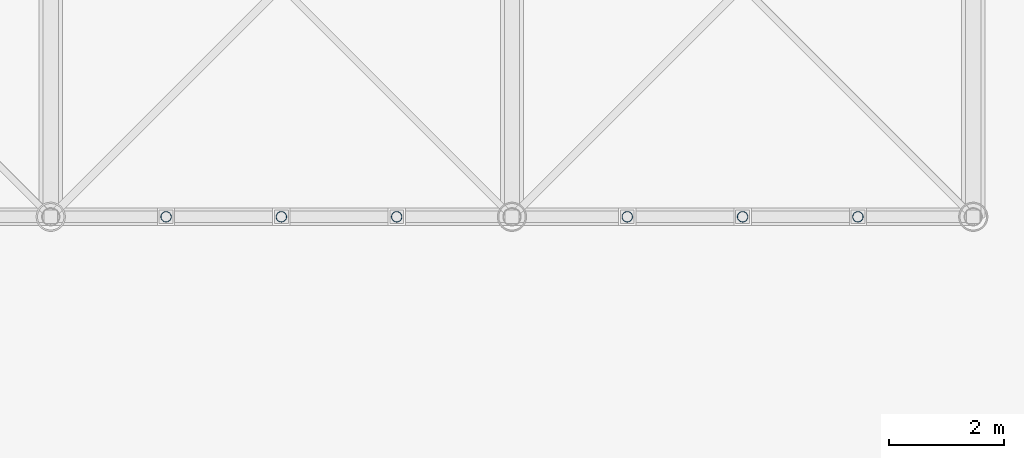
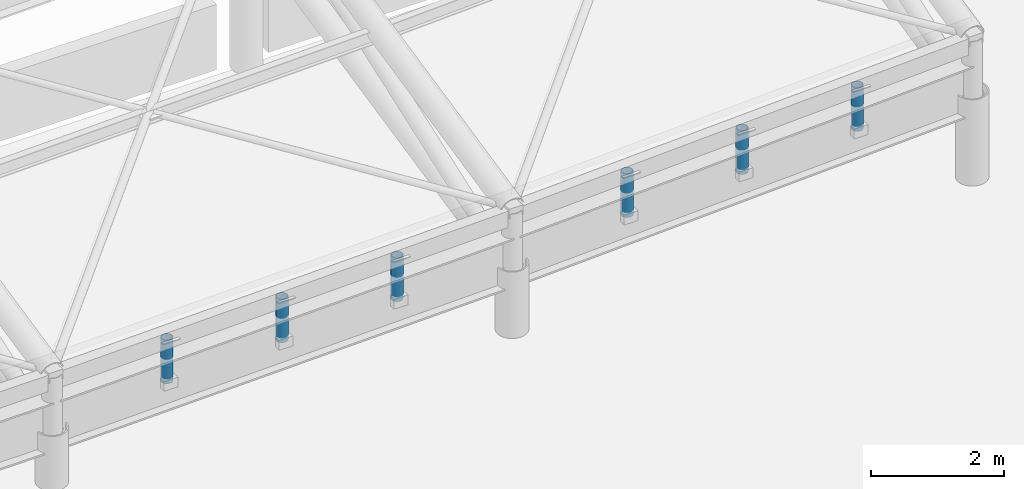
# One storey, part 40 of 78: 6 members.
"""IFC4 building model written with IfcOpenShell, lengths in metres."""

from ifc_helpers import new_model, si_unit, direction, frame, origin, origin_2d, place, context, subcontext, project, spatial, hollow_circle, extrude, material, material_profile, profile_set, type_object, element, save


model = new_model("IFC4")

# Units and contexts
model_context = context("Model", 3, precision=1e-05, world=origin(), true_north=direction((0.0, 1.0)))
body_context = subcontext(model_context, "Body", "Model", "MODEL_VIEW")
ifc_project = project(units=[si_unit("LENGTHUNIT", "METRE"), si_unit("AREAUNIT", "SQUARE_METRE"), si_unit("VOLUMEUNIT", "CUBIC_METRE"), si_unit("PLANEANGLEUNIT", "RADIAN"), si_unit("MASSUNIT", "GRAM", prefix="KILO")], contexts=[model_context])

# Site, building, storey
site_placement = place(None, origin())
site = spatial("IfcSite", under=ifc_project, at=site_placement, CompositionType="ELEMENT")
building_placement = place(site_placement, origin())
building = spatial("IfcBuilding", under=site, at=building_placement, Name="Haebicheon Civic Stadium", CompositionType="ELEMENT")
storey_placement = place(building_placement, frame((0.0, 0.0, 18.60009765625)))
storey = spatial("IfcBuildingStorey", under=building, at=storey_placement, Name="L05", CompositionType="ELEMENT", Elevation=18.60009765625)

# Members
ifc_material = material(Name="White painted steel SM490", Category="steel")
ifc_material_profile = material_profile(ifc_material, hollow_circle(Radius=0.095458984375, WallThickness=0.011962890625, at=origin_2d()), Name="CHS-190.7x12.0")
ifc_profile_set = profile_set([ifc_material_profile], Name="White painted steel SM490")
member_type = type_object("IfcMemberType", Name="HRD-CHS190", PredefinedType="USERDEFINED", material=ifc_profile_set)
for number, where, z_axis, x_axis, name in (
    (1, (114.0, 24.0, 1.15478515625), (0.0, 0.0, 1.0), (1.0, 0.0, 0.0), "CAN-SOUTH white vertical suspension rod 5.1"),
    (2, (116.0, 24.0, 1.2099609375), (0.0, 0.0, 1.0), (1.0, 0.0, 0.0), "CAN-SOUTH white vertical suspension rod 5.2"),
    (3, (118.0, 24.0, 1.264892578125), (0.0, 0.0, 1.0), (1.0, 0.0, 0.0), "CAN-SOUTH white vertical suspension rod 5.3"),
    (4, (122.0, 24.0, 1.411865234375), (0.0, 0.0, 1.0), (1.0, 0.0, 0.0), "CAN-SOUTH white vertical suspension rod 6.1"),
    (5, (124.0, 24.0, 1.5029296875), (0.0, 0.0, 1.0), (1.0, 0.0, 0.0), "CAN-SOUTH white vertical suspension rod 6.2"),
    (6, (126.0, 24.0, 1.594970703125), (0.0, 0.0, 1.0), (1.0, 0.0, 0.0), "CAN-SOUTH white vertical suspension rod 6.3"),
):
    element("IfcMember", number, at=place(storey_placement, frame(where, z_axis=z_axis, x_axis=x_axis)), inside=storey, type_object=member_type, material=ifc_profile_set, Name=name, ObjectType="HANGER ROD", PredefinedType="USERDEFINED", context=body_context, shape_type="SweptSolid", body=[
        extrude(hollow_circle(Radius=0.095458984375, WallThickness=0.011962890625, at=origin_2d()), origin(), (0.0, 0.0, 1.0), 0.800048828125),
    ])

save(model, "model.ifc")
